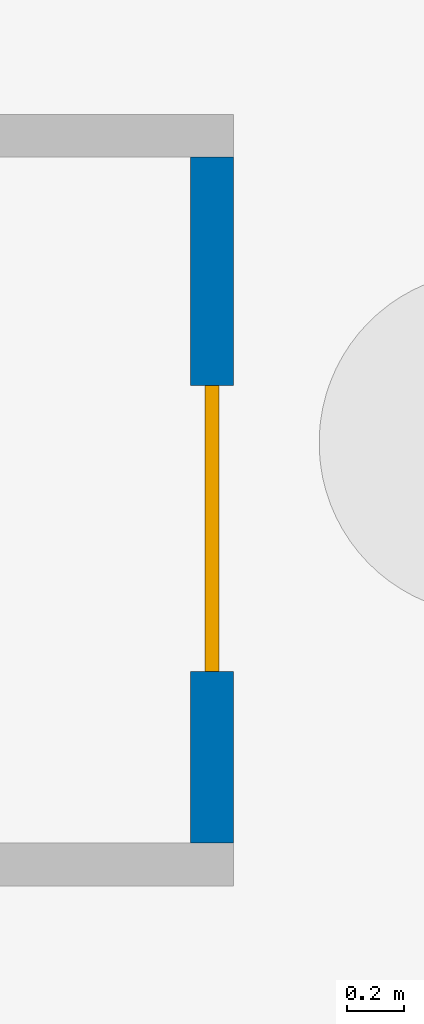
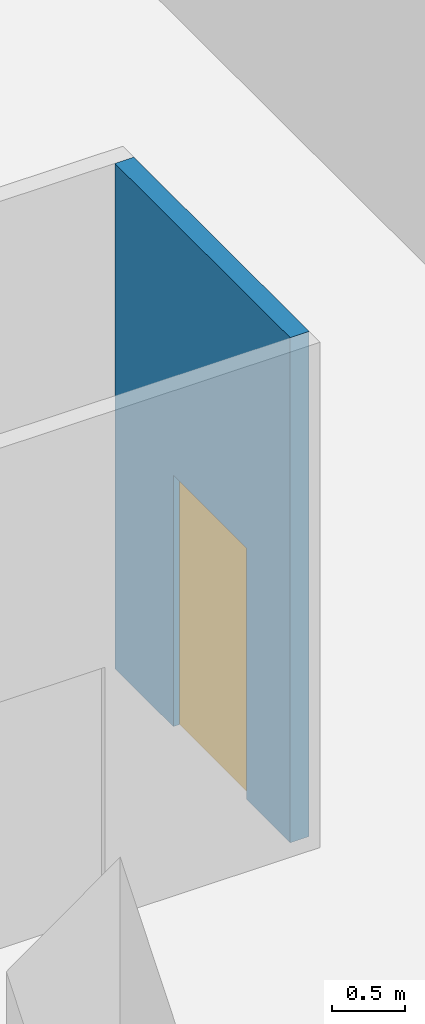
# One storey, part 14 of 17: 1 door, 1 wall, 1 opening.
"""IFC4 building model written with IfcOpenShell, lengths in metres."""

from ifc_helpers import new_model, si_unit, direction, frame, frame_2d, origin, place, context, subcontext, project, spatial, rectangle, extrude, source, transform, mapped, material, layer, layer_set, type_object, element, fill, save


model = new_model("IFC4")

# Units and contexts
model_context = context("Model", 3, precision=1e-05, world=origin(), true_north=direction((0.0, 1.0)))
body_context = subcontext(model_context, "Body", "Model", "MODEL_VIEW")
ifc_project = project(units=[si_unit("LENGTHUNIT", "METRE"), si_unit("AREAUNIT", "SQUARE_METRE"), si_unit("VOLUMEUNIT", "CUBIC_METRE"), si_unit("PLANEANGLEUNIT", "RADIAN"), si_unit("MASSUNIT", "GRAM", prefix="KILO")], contexts=[model_context])

# Site, building, storey
site_placement = place(None, origin())
site = spatial("IfcSite", under=ifc_project, at=site_placement, CompositionType="ELEMENT")
building_placement = place(site_placement, origin())
building = spatial("IfcBuilding", under=site, at=building_placement, Name="Vanashikhar Sky Hotel", CompositionType="ELEMENT")
storey_placement = place(building_placement, frame((0.0, 0.0, -13.5)))
storey = spatial("IfcBuildingStorey", under=building, at=storey_placement, Name="B3", CompositionType="ELEMENT", Elevation=-13.5)

# Wall, opening, door
ifc_material_1 = material(Name="Concrete M30", Category="concrete")
ifc_layer = layer(ifc_material_1, 0.14990234375)
ifc_layer_set = layer_set([ifc_layer], Name="Car park partition 150 mm")
wall_type = type_object("IfcWallType", Name="Car park partition 150 mm", PredefinedType="PARTITIONING", material=ifc_layer_set)
shared_shape_1 = source(origin(), body_context, "Body", "SweptSolid", [
    extrude(rectangle(XDim=2.39990234375, YDim=0.14990234375, at=frame_2d((1.199951171875, 0.0))), origin(), (0.0, 0.0, 1.0), 4.219970703125),
])
wall_placement = place(storey_placement, frame((120.824951171875, 19.60009765625, 0.0), z_axis=(0.0, 0.0, 1.0), x_axis=(0.0, 1.0, 0.0)))
wall = element("IfcWall", 1, at=wall_placement, inside=storey, type_object=wall_type, Name="Car park partition", PredefinedType="PARTITIONING", context=body_context, shape_type="MappedRepresentation", body=[
    mapped(shared_shape_1, transform((0.0, 0.0, 0.0), scale=1.0)),
])
shared_shape_2 = source(origin(), body_context, "Body", "SweptSolid", [
    extrude(rectangle(XDim=1.0, YDim=2.10009765625, at=frame_2d((0.5, 1.050048828125))), frame((0.0, 0.0849609375, 0.0), z_axis=(0.0, -1.0, 0.0), x_axis=(1.0, 0.0, 0.0)), (0.0, 0.0, 1.0), 0.169921875),
])
opening_placement = place(wall_placement, frame((0.60009765625, 0.0, 0.0)))
opening = element("IfcOpeningElement", 2, at=opening_placement, cuts=wall, Name="Opening PD-06", PredefinedType="OPENING", context=body_context, shape_type="MappedRepresentation", body=[
    mapped(shared_shape_2, transform((0.0, 0.0, 0.0), scale=1.0)),
])
ifc_material_2 = material(Name="Steel S355", Category="steel")
door_type = type_object("IfcDoorType", Name="Car park lobby door 1000 FD120", OperationType="NOTDEFINED", PredefinedType="DOOR", material=ifc_material_2)
shared_shape_3 = source(origin(), body_context, "Body", "SweptSolid", [
    extrude(rectangle(XDim=1.0, YDim=2.10009765625, at=frame_2d((0.5, 1.050048828125))), frame((0.0, 0.02490234375, 0.0), z_axis=(0.0, -1.0, 0.0), x_axis=(1.0, 0.0, 0.0)), (0.0, 0.0, 1.0), 0.050048828125),
])
door_placement = place(opening_placement, origin())
door = element("IfcDoor", 3, at=door_placement, inside=storey, type_object=door_type, Name="Car park lobby door", OperationType="SINGLE_SWING_RIGHT", OverallHeight=2.10009765625, OverallWidth=1.0, PredefinedType="DOOR", context=body_context, shape_type="MappedRepresentation", body=[
    mapped(shared_shape_3, transform((0.0, 0.0, 0.0), scale=1.0)),
])
fill(opening, door)

save(model, "model.ifc")
